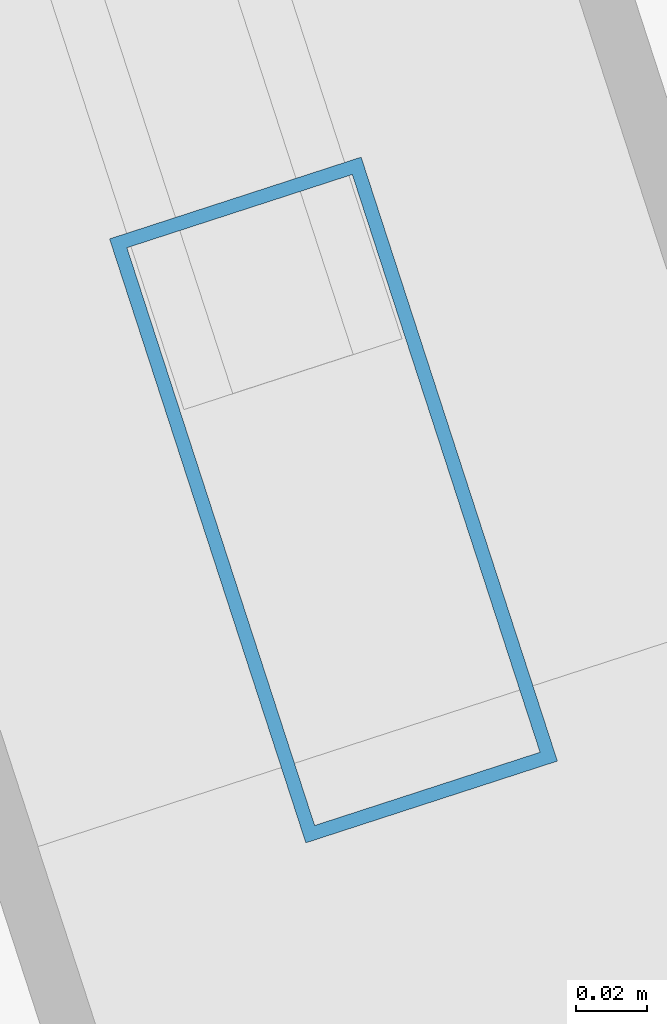
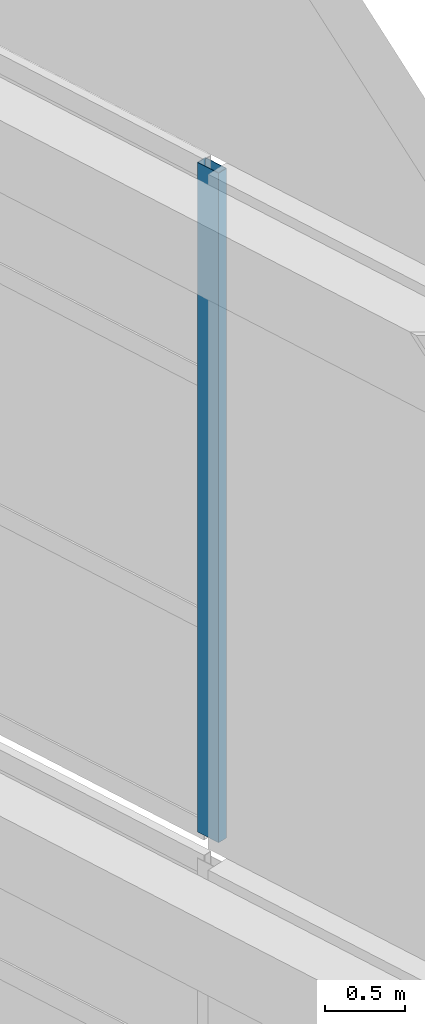
# One storey, part 26 of 56: 1 member, 1 element without a shape of its own.
"""IFC4 building model written with IfcOpenShell, lengths in metres."""

from ifc_helpers import new_model, si_unit, direction, frame, origin, origin_2d, place, context, subcontext, project, spatial, hollow_rectangle, extrude, material, layer, layer_set, material_profile, profile_set, type_object, element, aggregate, save


model = new_model("IFC4")

# Units and contexts
model_context = context("Model", 3, precision=1e-05, world=origin(), true_north=direction((0.0, 1.0)))
body_context = subcontext(model_context, "Body", "Model", "MODEL_VIEW")
ifc_project = project(units=[si_unit("LENGTHUNIT", "METRE"), si_unit("AREAUNIT", "SQUARE_METRE"), si_unit("VOLUMEUNIT", "CUBIC_METRE"), si_unit("PLANEANGLEUNIT", "RADIAN"), si_unit("MASSUNIT", "GRAM", prefix="KILO")], contexts=[model_context])

# Site, building, storey
site_placement = place(None, origin())
site = spatial("IfcSite", under=ifc_project, at=site_placement, CompositionType="ELEMENT")
building_placement = place(site_placement, origin())
building = spatial("IfcBuilding", under=site, at=building_placement, Name="Qiaolan Cultural Towers", CompositionType="ELEMENT")
storey_placement = place(building_placement, frame((0.0, 0.0, 250.39990234375)))
storey = spatial("IfcBuildingStorey", under=building, at=storey_placement, Name="L68", CompositionType="ELEMENT", Elevation=250.39990234375)

# Curtain wall, member
ifc_material_1 = material(Name="Unitized Anodized Aluminium Curtain Wall System", Category="aluminium")
ifc_layer = layer(ifc_material_1, 0.199951171875)
ifc_layer_set = layer_set([ifc_layer], Name="Unitized Anodized Aluminium Curtain Wall System")
curtain_wall_type = type_object("IfcCurtainWallType", Name="CWS-06", PredefinedType="NOTDEFINED", material=ifc_layer_set)
curtain_wall_placement = place(storey_placement, origin())
curtain_wall = element("IfcCurtainWall", 1, at=curtain_wall_placement, inside=storey, type_object=curtain_wall_type, Name="T2 Crown Tier 5 Fritted Screen Curtain Wall 3", PredefinedType="NOTDEFINED")
ifc_material_2 = material(Name="Extruded Aluminium 6063-T6", Category="aluminium")
ifc_material_profile = material_profile(ifc_material_2, hollow_rectangle(XDim=0.074951171875, YDim=0.179931640625, WallThickness=0.00390625, at=origin_2d()), Name="CWM-180x75x4")
ifc_profile_set = profile_set([ifc_material_profile], Name="Extruded Aluminium 6063-T6")
member_type = type_object("IfcMemberType", Name="CWS-06-MUL", PredefinedType="MULLION", material=ifc_profile_set)
member_placement = place(storey_placement, frame((104.9404296875, 32.83740234375, 21.300048828125), z_axis=(0.0, 0.0, 1.0), x_axis=(-0.951056535512, -0.309016935232, 0.0)))
member = element("IfcMember", 2, at=member_placement, type_object=member_type, Name="CW-6 mullion 1", PredefinedType="MULLION", context=body_context, shape_type="SweptSolid", body=[
    extrude(hollow_rectangle(XDim=0.074951171875, YDim=0.179931640625, WallThickness=0.00390625, at=origin_2d()), origin(), (0.0, 0.0, 1.0), 5.10009765625),
])
aggregate(curtain_wall, [member])

save(model, "model.ifc")
